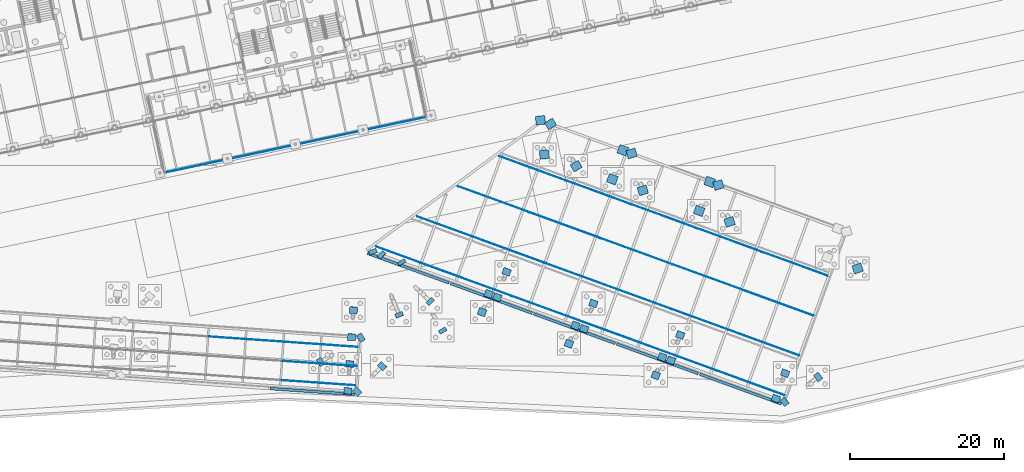
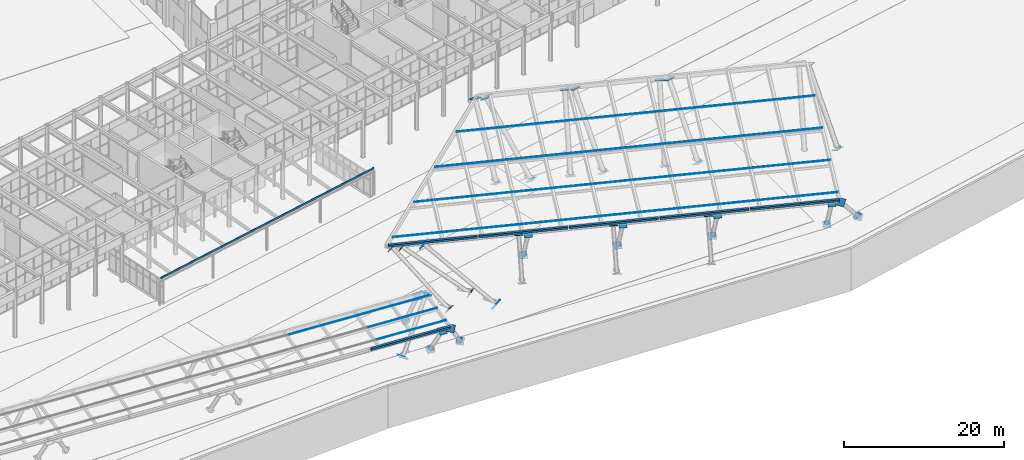
# One storey, part 196 of 239: 76 discrete accessories.
"""IFC4 building model written with IfcOpenShell, lengths in metres."""

from ifc_helpers import new_model, si_unit, direction, frame, origin, origin_2d, place, context, subcontext, project, spatial, polyline, rectangle, outline, extrude, material, layer, layer_set, material_profile, profile_set, type_object, element, save


model = new_model("IFC4")

# Units and contexts
model_context = context("Model", 3, precision=1e-05, world=origin(), true_north=direction((0.0, 1.0)))
body_context = subcontext(model_context, "Body", "Model", "MODEL_VIEW")
ifc_project = project(units=[si_unit("LENGTHUNIT", "METRE"), si_unit("AREAUNIT", "SQUARE_METRE"), si_unit("VOLUMEUNIT", "CUBIC_METRE"), si_unit("PLANEANGLEUNIT", "RADIAN"), si_unit("MASSUNIT", "GRAM", prefix="KILO")], contexts=[model_context])

# Site, building, storey
site_placement = place(None, origin())
site = spatial("IfcSite", under=ifc_project, at=site_placement, CompositionType="ELEMENT")
building_placement = place(site_placement, origin())
building = spatial("IfcBuilding", under=site, at=building_placement, Name="Okhra Congress Centre", CompositionType="ELEMENT")
storey_placement = place(building_placement, origin())
storey = spatial("IfcBuildingStorey", under=building, at=storey_placement, Name="L00", CompositionType="ELEMENT", Elevation=0.0)

# Discrete accessories
ifc_material_1 = material(Name="Steel S355J2", Category="steel")
ifc_layer = layer(ifc_material_1, 0.02001953125)
ifc_layer_set = layer_set([ifc_layer], Name="Brace end connection plate 20 mm S355")
discrete_accessory_type_1 = type_object("IfcDiscreteAccessoryType", Name="Brace end connection plate 20 mm S355", PredefinedType="BRACKET", material=ifc_layer_set)
discrete_accessory_1_placement = place(storey_placement, frame((155.19677734375, 14.652587890625, -0.39990234375), z_axis=(0.317451088829, -0.781418064809, -0.537224919556), x_axis=(0.926466577122, 0.376377046956, 0.0)))
element("IfcDiscreteAccessory", 1, at=discrete_accessory_1_placement, inside=storey, type_object=discrete_accessory_type_1, Name="Brace end connection plate", PredefinedType="BRACKET", context=body_context, shape_type="SweptSolid", body=[
    extrude(rectangle(XDim=1.01611328125, YDim=1.01611328125, at=origin_2d()), origin(), (0.0, 0.0, 1.0), 0.02001953125),
])
discrete_accessory_2_placement = place(storey_placement, frame((151.78173828125, 22.812744140625, 5.23828125), z_axis=(-0.331494273588, 0.773486638372, 0.540212890292), x_axis=(-0.919145030018, -0.393919298579, 0.0)))
element("IfcDiscreteAccessory", 2, at=discrete_accessory_2_placement, inside=storey, type_object=discrete_accessory_type_1, Name="Brace end connection plate", PredefinedType="BRACKET", context=body_context, shape_type="SweptSolid", body=[
    extrude(rectangle(XDim=1.01611328125, YDim=1.01611328125, at=origin_2d()), origin(), (0.0, 0.0, 1.0), 0.019775390625),
])
discrete_accessory_3_placement = place(storey_placement, frame((159.229736328125, 16.377197265625, -0.39990234375), z_axis=(0.605050254536, -0.580848244354, -0.544545229082), x_axis=(0.69253182819, 0.721387321031, 0.0)))
element("IfcDiscreteAccessory", 3, at=discrete_accessory_3_placement, inside=storey, type_object=discrete_accessory_type_1, Name="Brace end connection plate", PredefinedType="BRACKET", context=body_context, shape_type="SweptSolid", body=[
    extrude(rectangle(XDim=1.01611328125, YDim=1.01611328125, at=origin_2d()), origin(), (0.0, 0.0, 1.0), 0.020263671875),
])
for number, where, z_axis, x_axis, name in (
    (4, (152.9091796875, 22.402099609375, 5.23828125), (-0.597294544308, 0.58510485973, 0.548535805997), (-0.699779834816, -0.714358581375, 0.0), "Brace end connection plate"),
    (5, (160.834716796875, 12.600341796875, -0.39990234375), (0.452364655741, -0.745790378384, -0.489042871072), (0.85500950718, 0.518612324027, 0.0), "Brace end connection plate"),
):
    element("IfcDiscreteAccessory", number, at=place(storey_placement, frame(where, z_axis=z_axis, x_axis=x_axis)), inside=storey, type_object=discrete_accessory_type_1, Name=name, PredefinedType="BRACKET", context=body_context, shape_type="SweptSolid", body=[
        extrude(rectangle(XDim=1.01611328125, YDim=1.01611328125, at=origin_2d()), origin(), (0.0, 0.0, 1.0), 0.02001953125),
    ])
discrete_accessory_4_placement = place(storey_placement, frame((155.54052734375, 21.444580078125, 5.23828125), z_axis=(-0.448262624581, 0.751142776324, 0.48460824279), x_axis=(-0.858712583452, -0.512457509479, 0.0)))
element("IfcDiscreteAccessory", 6, at=discrete_accessory_4_placement, inside=storey, type_object=discrete_accessory_type_1, Name="Brace end connection plate", PredefinedType="BRACKET", context=body_context, shape_type="SweptSolid", body=[
    extrude(rectangle(XDim=1.01611328125, YDim=1.01611328125, at=origin_2d()), origin(), (0.0, 0.0, 1.0), 0.020263671875),
])
for number, where, z_axis, x_axis, name in (
    (7, (165.961669921875, 14.990966796875, -0.39990234375), (-0.134316241908, -0.378527590832, -0.915792558464), (0.942427745481, -0.334409845171, 0.0), "Brace end connection plate"),
    (8, (166.816650390625, 17.34033203125, 5.23828125), (0.146276214932, 0.377880221909, 0.914226343328), (-0.932568098274, 0.360994102558, 0.0), "Brace end connection plate"),
    (9, (169.141357421875, 20.21875, -0.39990234375), (0.181821521087, 0.496978824305, -0.84850043174), (-0.93912285212, 0.343581531264, 0.0), "Brace end connection plate"),
    (10, (167.9443359375, 16.929931640625, 5.23828125), (-0.181821521087, -0.496978824305, 0.84850043174), (0.93912285212, -0.343581531264, 0.0), "Brace end connection plate"),
    (11, (177.238037109375, 10.886962890625, -0.39990234375), (-0.145596333607, -0.388256889618, -0.909977085043), (0.936329177569, -0.351123441588, 0.0), "Brace end connection plate"),
    (12, (178.093017578125, 13.236083984375, 5.23828125), (0.134316241908, 0.378527590832, 0.915792558464), (-0.942427745481, 0.334409845171, 0.0), "Brace end connection plate"),
    (13, (180.417724609375, 16.114501953125, -0.39990234375), (0.181821521087, 0.496978824305, -0.84850043174), (-0.93912285212, 0.343581531264, 0.0), "Brace end connection plate"),
    (14, (179.220703125, 12.82568359375, 5.23828125), (-0.181821521087, -0.496978824305, 0.84850043174), (0.93912285212, -0.343581531264, 0.0), "Brace end connection plate"),
    (15, (188.514404296875, 6.78271484375, -0.39990234375), (-0.145596333607, -0.388256889618, -0.909977085043), (0.936329177569, -0.351123441588, 0.0), "Brace end connection plate"),
    (16, (189.369384765625, 9.1318359375, 5.23828125), (0.134316241908, 0.378527590832, 0.915792558464), (-0.942427745481, 0.334409845171, 0.0), "Brace end connection plate"),
    (17, (191.694091796875, 12.01025390625, -0.39990234375), (0.181821521087, 0.496978824305, -0.84850043174), (-0.93912285212, 0.343581531264, 0.0), "Brace end connection plate"),
    (18, (190.4970703125, 8.721435546875, 5.23828125), (-0.181821521087, -0.496978824305, 0.84850043174), (0.93912285212, -0.343581531264, 0.0), "Brace end connection plate"),
    (19, (205.319580078125, 7.051025390625, -0.39990234375), (0.181821521087, 0.496978824305, -0.84850043174), (-0.93912285212, 0.343581531264, 0.0), "Brace end connection plate"),
    (20, (204.12255859375, 3.76220703125, 5.23828125), (-0.181821521087, -0.496978824305, 0.84850043174), (0.93912285212, -0.343581531264, 0.0), "Brace end connection plate"),
    (21, (209.6083984375, 6.55419921875, -0.39990234375), (0.546469139904, 0.412887794594, -0.728625519872), (-0.602833089186, 0.797867323922, 0.0), "Brace end connection plate"),
    (22, (205.250244140625, 3.351806640625, 5.23828125), (-0.559769790426, -0.413742888576, 0.717965600764), (0.594391061084, -0.804176141466, 0.0), "Brace end connection plate"),
):
    element("IfcDiscreteAccessory", number, at=place(storey_placement, frame(where, z_axis=z_axis, x_axis=x_axis)), inside=storey, type_object=discrete_accessory_type_1, Name=name, PredefinedType="BRACKET", context=body_context, shape_type="SweptSolid", body=[
        extrude(rectangle(XDim=1.01611328125, YDim=1.01611328125, at=origin_2d()), origin(), (0.0, 0.0, 1.0), 0.02001953125),
    ])
discrete_accessory_5_placement = place(storey_placement, frame((174.050048828125, 35.459228515625, -0.39990234375), z_axis=(0.036183993008, -0.39802392309, -0.916661156207), x_axis=(0.995893206468, 0.090535746043, 0.0)))
element("IfcDiscreteAccessory", 23, at=discrete_accessory_5_placement, inside=storey, type_object=discrete_accessory_type_1, Name="Brace end connection plate", PredefinedType="BRACKET", context=body_context, shape_type="SweptSolid", body=[
    extrude(rectangle(XDim=1.219970703125, YDim=1.219970703125, at=origin_2d()), origin(), (0.0, 0.0, 1.0), 0.020263671875),
])
for number, where, z_axis, x_axis, name in (
    (24, (173.53857421875, 39.90185546875, 10.01953125), (-0.036766251977, 0.392173354426, 0.919156299436), (-0.995634226059, -0.093340708693, 0.0), "Brace end connection plate"),
    (25, (178.1845703125, 33.954345703125, -0.39990234375), (0.267715986725, -0.450249614038, -0.851823594126), (0.859535888021, 0.511075392877, 0.0), "Brace end connection plate"),
    (26, (174.854248046875, 39.423095703125, 10.01953125), (-0.278956994896, 0.448756904833, 0.848999549684), (-0.849285325289, -0.527934121126, 0.0), "Brace end connection plate"),
):
    element("IfcDiscreteAccessory", number, at=place(storey_placement, frame(where, z_axis=z_axis, x_axis=x_axis)), inside=storey, type_object=discrete_accessory_type_1, Name=name, PredefinedType="BRACKET", context=body_context, shape_type="SweptSolid", body=[
        extrude(rectangle(XDim=1.219970703125, YDim=1.219970703125, at=origin_2d()), origin(), (0.0, 0.0, 1.0), 0.02001953125),
    ])
discrete_accessory_6_placement = place(storey_placement, frame((182.883056640625, 32.244140625, -0.39990234375), z_axis=(-0.121152060697, -0.339225769953, -0.932870867371), x_axis=(0.941741911595, -0.336336396998, 0.0)))
element("IfcDiscreteAccessory", 27, at=discrete_accessory_6_placement, inside=storey, type_object=discrete_accessory_type_1, Name="Brace end connection plate", PredefinedType="BRACKET", context=body_context, shape_type="SweptSolid", body=[
    extrude(rectangle(XDim=1.219970703125, YDim=1.219970703125, at=origin_2d()), origin(), (0.0, 0.0, 1.0), 0.020263671875),
])
discrete_accessory_7_placement = place(storey_placement, frame((184.251220703125, 36.0029296875, 10.01953125), z_axis=(0.12304489189, 0.332221208102, 0.935141178361), x_axis=(-0.937748760724, 0.347314355824, 0.0)))
element("IfcDiscreteAccessory", 28, at=discrete_accessory_7_placement, inside=storey, type_object=discrete_accessory_type_1, Name="Brace end connection plate", PredefinedType="BRACKET", context=body_context, shape_type="SweptSolid", body=[
    extrude(rectangle(XDim=1.219970703125, YDim=1.219970703125, at=origin_2d()), origin(), (0.0, 0.0, 1.0), 0.019775390625),
])
for number, where, z_axis, x_axis, name in (
    (29, (186.829833984375, 30.8076171875, -0.39990234375), (0.121878737355, -0.414387707005, -0.901902656423), (0.959365501571, 0.282166323992, 0.0), "Brace end connection plate"),
    (30, (185.378662109375, 35.592529296875, 10.01953125), (-0.121878737355, 0.414387707005, 0.901902656423), (-0.959365501571, -0.282166323992, 0.0), "Brace end connection plate"),
):
    element("IfcDiscreteAccessory", number, at=place(storey_placement, frame(where, z_axis=z_axis, x_axis=x_axis)), inside=storey, type_object=discrete_accessory_type_1, Name=name, PredefinedType="BRACKET", context=body_context, shape_type="SweptSolid", body=[
        extrude(rectangle(XDim=1.219970703125, YDim=1.219970703125, at=origin_2d()), origin(), (0.0, 0.0, 1.0), 0.02001953125),
    ])
discrete_accessory_8_placement = place(storey_placement, frame((194.159423828125, 28.139892578125, -0.39990234375), z_axis=(-0.121152060697, -0.339225769953, -0.932870867371), x_axis=(0.941741911595, -0.336336396998, 0.0)))
element("IfcDiscreteAccessory", 31, at=discrete_accessory_8_placement, inside=storey, type_object=discrete_accessory_type_1, Name="Brace end connection plate", PredefinedType="BRACKET", context=body_context, shape_type="SweptSolid", body=[
    extrude(rectangle(XDim=1.219970703125, YDim=1.219970703125, at=origin_2d()), origin(), (0.0, 0.0, 1.0), 0.020263671875),
])
discrete_accessory_9_placement = place(storey_placement, frame((195.52734375, 31.898681640625, 10.01953125), z_axis=(0.12304489189, 0.332221208102, 0.935141178361), x_axis=(-0.937748760724, 0.347314355824, 0.0)))
element("IfcDiscreteAccessory", 32, at=discrete_accessory_9_placement, inside=storey, type_object=discrete_accessory_type_1, Name="Brace end connection plate", PredefinedType="BRACKET", context=body_context, shape_type="SweptSolid", body=[
    extrude(rectangle(XDim=1.219970703125, YDim=1.219970703125, at=origin_2d()), origin(), (0.0, 0.0, 1.0), 0.019775390625),
])
for number, where, z_axis, x_axis, name in (
    (33, (198.10595703125, 26.703369140625, -0.39990234375), (0.133857993363, -0.413742888576, -0.900499228076), (0.951444518554, 0.307820285415, 0.0), "Brace end connection plate"),
    (34, (196.655029296875, 31.48828125, 10.01953125), (-0.121878737355, 0.414387707005, 0.901902656423), (-0.959365501571, -0.282166323992, 0.0), "Brace end connection plate"),
    (35, (214.738525390625, 20.649658203125, -0.39990234375), (0.133857993363, -0.413742888576, -0.900499228076), (0.951444518554, 0.307820285415, 0.0), "Brace end connection plate"),
):
    element("IfcDiscreteAccessory", number, at=place(storey_placement, frame(where, z_axis=z_axis, x_axis=x_axis)), inside=storey, type_object=discrete_accessory_type_1, Name=name, PredefinedType="BRACKET", context=body_context, shape_type="SweptSolid", body=[
        extrude(rectangle(XDim=1.219970703125, YDim=1.219970703125, at=origin_2d()), origin(), (0.0, 0.0, 1.0), 0.02001953125),
    ])
discrete_accessory_10_placement = place(storey_placement, frame((148.769775390625, 8.2509765625, -0.39990234375), z_axis=(0.048333295573, 0.567916222982, -0.82166602474), x_axis=(-0.996398007206, 0.084799830401, 0.0)))
element("IfcDiscreteAccessory", 36, at=discrete_accessory_10_placement, inside=storey, type_object=discrete_accessory_type_1, Name="Brace end connection plate", PredefinedType="BRACKET", context=body_context, shape_type="SweptSolid", body=[
    extrude(rectangle(XDim=1.01611328125, YDim=1.01611328125, at=origin_2d()), origin(), (0.0, 0.0, 1.0), 0.020263671875),
])
discrete_accessory_11_placement = place(storey_placement, frame((148.525634765625, 4.759521484375, 4.63330078125), z_axis=(-0.036631702339, -0.573896669971, 0.818108018895), x_axis=(0.997969082864, -0.063700154225, 0.0)))
element("IfcDiscreteAccessory", 37, at=discrete_accessory_11_placement, inside=storey, type_object=discrete_accessory_type_1, Name="Brace end connection plate", PredefinedType="BRACKET", context=body_context, shape_type="SweptSolid", body=[
    extrude(rectangle(XDim=1.01611328125, YDim=1.01611328125, at=origin_2d()), origin(), (0.0, 0.0, 1.0), 0.02001953125),
])
discrete_accessory_12_placement = place(storey_placement, frame((152.959716796875, 7.9580078125, -0.39990234375), z_axis=(0.47149063623, 0.483580139723, -0.737459713078), x_axis=(-0.71600013962, 0.69810013613, 0.0)))
element("IfcDiscreteAccessory", 38, at=discrete_accessory_12_placement, inside=storey, type_object=discrete_accessory_type_1, Name="Brace end connection plate", PredefinedType="BRACKET", context=body_context, shape_type="SweptSolid", body=[
    extrude(rectangle(XDim=1.01611328125, YDim=1.01611328125, at=origin_2d()), origin(), (0.0, 0.0, 1.0), 0.020263671875),
])
discrete_accessory_13_placement = place(storey_placement, frame((149.722900390625, 4.67578125, 4.63330078125), z_axis=(-0.47423643072, -0.47423643072, 0.741754417281), x_axis=(0.707106781187, -0.707106781187, 0.0)))
element("IfcDiscreteAccessory", 39, at=discrete_accessory_13_placement, inside=storey, type_object=discrete_accessory_type_1, Name="Brace end connection plate", PredefinedType="BRACKET", context=body_context, shape_type="SweptSolid", body=[
    extrude(rectangle(XDim=1.01611328125, YDim=1.01611328125, at=origin_2d()), origin(), (0.0, 0.0, 1.0), 0.02001953125),
])
discrete_accessory_14_placement = place(storey_placement, frame((149.258056640625, 15.23388671875, -0.39990234375), z_axis=(0.03634295113, 0.508801315824, -0.860116510084), x_axis=(-0.997458699831, 0.071247049988, 0.0)))
element("IfcDiscreteAccessory", 40, at=discrete_accessory_14_placement, inside=storey, type_object=discrete_accessory_type_1, Name="Brace end connection plate", PredefinedType="BRACKET", context=body_context, shape_type="SweptSolid", body=[
    extrude(rectangle(XDim=1.01611328125, YDim=1.01611328125, at=origin_2d()), origin(), (0.0, 0.0, 1.0), 0.020263671875),
])
discrete_accessory_15_placement = place(storey_placement, frame((149.013916015625, 11.742431640625, 5.492919921875), z_axis=(-0.02464632131, -0.505249586864, 0.862621245866), x_axis=(0.998812351125, -0.048722553713, 0.0)))
element("IfcDiscreteAccessory", 41, at=discrete_accessory_15_placement, inside=storey, type_object=discrete_accessory_type_1, Name="Brace end connection plate", PredefinedType="BRACKET", context=body_context, shape_type="SweptSolid", body=[
    extrude(rectangle(XDim=1.01611328125, YDim=1.01611328125, at=origin_2d()), origin(), (0.0, 0.0, 1.0), 0.019775390625),
])
for number, where, z_axis, x_axis, name in (
    (42, (144.979248046875, 8.51611328125, -0.39990234375), (-0.620752231839, -0.36514837167, -0.693781906173), (0.507020126563, -0.861934215158, 0.0), "Brace end connection plate"),
    (43, (150.211181640625, 11.65869140625, 5.492919921875), (0.610391875299, 0.378442962685, 0.695846737841), (-0.526939668862, 0.849902691712, 0.0), "Brace end connection plate"),
):
    element("IfcDiscreteAccessory", number, at=place(storey_placement, frame(where, z_axis=z_axis, x_axis=x_axis)), inside=storey, type_object=discrete_accessory_type_1, Name=name, PredefinedType="BRACKET", context=body_context, shape_type="SweptSolid", body=[
        extrude(rectangle(XDim=1.01611328125, YDim=1.01611328125, at=origin_2d()), origin(), (0.0, 0.0, 1.0), 0.02001953125),
    ])
ifc_material_2 = material(Name="Stainless steel box gutter with self-regulating heating cable", Category="steel")
discrete_accessory_type_2 = type_object("IfcDiscreteAccessoryType", Name="Canopy heated gutter 350x300", PredefinedType="USERDEFINED", material=ifc_material_2)
for number, where, z_axis, x_axis, name in (
    (44, (156.379150390625, 20.708251953125, 5.75), (0.0, 0.0, 1.0), (0.939692620786, -0.342020143326, 0.0), "Entrance canopy heated gutter"),
    (45, (167.166748046875, 16.781982421875, 5.75), (0.0, 0.0, 1.0), (0.939692620786, -0.342020143326, 0.0), "Entrance canopy heated gutter"),
    (46, (177.95458984375, 12.85546875, 5.75), (0.0, 0.0, 1.0), (0.939692620786, -0.342020143326, 0.0), "Entrance canopy heated gutter"),
    (47, (188.7421875, 8.92919921875, 5.75), (0.0, 0.0, 1.0), (0.939692620786, -0.342020143326, 0.0), "Entrance canopy heated gutter"),
    (48, (199.52978515625, 5.002685546875, 5.75), (0.0, 0.0, 1.0), (0.939692620786, -0.342020143326, 0.0), "Entrance canopy heated gutter"),
):
    element("IfcDiscreteAccessory", number, at=place(storey_placement, frame(where, z_axis=z_axis, x_axis=x_axis)), inside=storey, type_object=discrete_accessory_type_2, Name=name, ObjectType="HEATED GUTTER", PredefinedType="USERDEFINED", context=body_context, shape_type="SweptSolid", body=[
        extrude(rectangle(XDim=11.280029296875, YDim=0.35009765625, at=origin_2d()), origin(), (0.0, 0.0, 1.0), 0.300048828125),
    ])
discrete_accessory_16_placement = place(storey_placement, frame((143.90869140625, 4.676513671875, 5.0498046875), z_axis=(0.0, 0.0, 1.0), x_axis=(0.99756405026, -0.069756473744, 0.0)))
element("IfcDiscreteAccessory", 49, at=discrete_accessory_16_placement, inside=storey, type_object=discrete_accessory_type_2, Name="Covered promenade heated gutter", ObjectType="HEATED GUTTER", PredefinedType="USERDEFINED", context=body_context, shape_type="SweptSolid", body=[
    extrude(rectangle(XDim=11.0, YDim=0.35009765625, at=origin_2d()), origin(), (0.0, 0.0, 1.0), 0.300048828125),
])
ifc_material_3 = material(Name="Stainless steel snow retention rail", Category="steel")
discrete_accessory_type_3 = type_object("IfcDiscreteAccessoryType", Name="Canopy snow guard rail 40x100", PredefinedType="USERDEFINED", material=ifc_material_3)
for number, where, z_axis, x_axis, name in (
    (50, (152.19482421875, 23.46044921875, 6.305419921875), (-0.069485797238, -0.190907436436, 0.979145584015), (0.939690765312, -0.342025241154, 0.0), "Entrance canopy snow guard rail"),
    (51, (161.064453125, 20.232177734375, 6.305419921875), (-0.069485797238, -0.190907436436, 0.979145584015), (0.939690765312, -0.342025241154, 0.0), "Entrance canopy snow guard rail"),
    (52, (169.93408203125, 17.00390625, 6.305419921875), (-0.069485797238, -0.190907436436, 0.979145584015), (0.939690765312, -0.342025241154, 0.0), "Entrance canopy snow guard rail"),
    (53, (178.8037109375, 13.775634765625, 6.305419921875), (-0.069485797238, -0.190907436436, 0.979145584015), (0.939690765312, -0.342025241154, 0.0), "Entrance canopy snow guard rail"),
):
    element("IfcDiscreteAccessory", number, at=place(storey_placement, frame(where, z_axis=z_axis, x_axis=x_axis)), inside=storey, type_object=discrete_accessory_type_3, Name=name, ObjectType="SNOW GUARD", PredefinedType="USERDEFINED", context=body_context, shape_type="SweptSolid", body=[
        extrude(outline(polyline([(0.0, 0.0), (9.238827224308569, 0.0), (9.23881521154484, 0.04085837425256437), (-1.2012763728252995e-05, 0.040858374252564784), (0.0, 0.0)])), origin(), (0.0, 0.0, -1.0), 0.10009765625),
    ])
discrete_accessory_17_placement = place(storey_placement, frame((187.67333984375, 10.54736328125, 6.305419921875), z_axis=(-0.069604258045, -0.191242976103, 0.979071688567), x_axis=(0.93969100521, -0.342024582035, -3.37438e-06)))
element("IfcDiscreteAccessory", 54, at=discrete_accessory_17_placement, inside=storey, type_object=discrete_accessory_type_3, Name="Entrance canopy snow guard rail", ObjectType="SNOW GUARD", PredefinedType="USERDEFINED", context=body_context, shape_type="SweptSolid", body=[
    extrude(outline(polyline([(0.0, 0.0), (9.238827224253697, 0.0), (9.239044628290463, 0.04094012624943307), (7.148938267057824e-05, 0.0406337561677134), (0.0, 0.0)])), origin(), (0.0, 0.0, -1.0), 0.10009765625),
])
discrete_accessory_18_placement = place(storey_placement, frame((196.54296875, 7.31884765625, 6.305419921875), z_axis=(-0.069479330629, -0.190909788016, 0.979145584403), x_axis=(0.939702348981, -0.341993414148, 0.0)))
element("IfcDiscreteAccessory", 55, at=discrete_accessory_18_placement, inside=storey, type_object=discrete_accessory_type_3, Name="Entrance canopy snow guard rail", ObjectType="SNOW GUARD", PredefinedType="USERDEFINED", context=body_context, shape_type="SweptSolid", body=[
    extrude(outline(polyline([(0.0, 0.0), (9.238973144042374, 0.0), (9.238962486269953, 0.040858374628477634), (-1.0657772420567352e-05, 0.04085837462847766), (0.0, 0.0)])), origin(), (0.0, 0.0, -1.0), 0.10009765625),
])
discrete_accessory_19_placement = place(storey_placement, frame((157.521484375, 27.374755859375, 7.424560546875), z_axis=(-0.067707357943, -0.186027877596, 0.980208825933), x_axis=(0.939690284698, -0.342026561597, -2.579934e-06)))
element("IfcDiscreteAccessory", 56, at=discrete_accessory_19_placement, inside=storey, type_object=discrete_accessory_type_3, Name="Entrance canopy snow guard rail", ObjectType="SNOW GUARD", PredefinedType="USERDEFINED", context=body_context, shape_type="SweptSolid", body=[
    extrude(outline(polyline([(0.0, 0.0), (8.627761236393622, 8.881784197001252e-16), (8.627749146627828, 0.040809468482592356), (7.14128127200734e-05, 0.04058459237516384), (0.0, 0.0)])), origin(), (0.0, 0.0, -1.0), 0.10009765625),
])
for number, where, z_axis, x_axis, name in (
    (57, (165.81689453125, 24.35546875, 7.424560546875), (-0.06752326633, -0.185514406246, 0.980318832615), (0.939690106487, -0.342027051226, 0.0), "Entrance canopy snow guard rail"),
    (58, (174.1123046875, 21.336181640625, 7.424560546875), (-0.06752326633, -0.185514406246, 0.980318832615), (0.939690106487, -0.342027051226, 0.0), "Entrance canopy snow guard rail"),
    (59, (182.40771484375, 18.31689453125, 7.424560546875), (-0.06752326633, -0.185514406246, 0.980318832615), (0.939690106487, -0.342027051226, 0.0), "Entrance canopy snow guard rail"),
    (60, (190.703125, 15.297607421875, 7.424560546875), (-0.06752326633, -0.185514406246, 0.980318832615), (0.939690106487, -0.342027051226, 0.0), "Entrance canopy snow guard rail"),
):
    element("IfcDiscreteAccessory", number, at=place(storey_placement, frame(where, z_axis=z_axis, x_axis=x_axis)), inside=storey, type_object=discrete_accessory_type_3, Name=name, ObjectType="SNOW GUARD", PredefinedType="USERDEFINED", context=body_context, shape_type="SweptSolid", body=[
        extrude(outline(polyline([(0.0, 0.0), (8.627761236423508, 4.440892098500626e-16), (8.627749146597942, 0.040809474800655714), (-1.2089825564085693e-05, 0.040809474800655145), (0.0, 0.0)])), origin(), (0.0, 0.0, -1.0), 0.10009765625),
    ])
discrete_accessory_20_placement = place(storey_placement, frame((198.998291015625, 12.2783203125, 7.424560546875), z_axis=(-0.067454714706, -0.185328856896, 0.980358646754), x_axis=(0.939693352245, -0.34201813365, 9.35616e-07)))
element("IfcDiscreteAccessory", 61, at=discrete_accessory_20_placement, inside=storey, type_object=discrete_accessory_type_3, Name="Entrance canopy snow guard rail", ObjectType="SNOW GUARD", PredefinedType="USERDEFINED", context=body_context, shape_type="SweptSolid", body=[
    extrude(outline(polyline([(0.0, 0.0), (8.627990653353557, -8.881784197001252e-16), (8.627978950721449, 0.04080947408280556), (0.00021771469021747279, 0.04089133449815651), (0.0, 0.0)])), origin(), (0.0, 0.0, -1.0), 0.10009765625),
])
for number, where, z_axis, x_axis, name in (
    (62, (162.84814453125, 31.288818359375, 8.54345703125), (-0.067522883793, -0.185514545355, 0.980318832639), (0.939690811683, -0.342025113754, 0.0), "Entrance canopy snow guard rail"),
    (63, (172.113525390625, 27.91650390625, 8.54345703125), (-0.067522883793, -0.185514545355, 0.980318832639), (0.939690811683, -0.342025113754, 0.0), "Entrance canopy snow guard rail"),
    (64, (181.37890625, 24.544189453125, 8.54345703125), (-0.067522883793, -0.185514545355, 0.980318832639), (0.939690811683, -0.342025113754, 0.0), "Entrance canopy snow guard rail"),
    (65, (190.644287109375, 21.171875, 8.54345703125), (-0.067522883793, -0.185514545355, 0.980318832639), (0.939690811683, -0.342025113754, 0.0), "Entrance canopy snow guard rail"),
    (66, (199.90966796875, 17.799560546875, 8.54345703125), (-0.067522883793, -0.185514545355, 0.980318832639), (0.939690811683, -0.342025113754, 0.0), "Entrance canopy snow guard rail"),
):
    element("IfcDiscreteAccessory", number, at=place(storey_placement, frame(where, z_axis=z_axis, x_axis=x_axis)), inside=storey, type_object=discrete_accessory_type_3, Name=name, ObjectType="SNOW GUARD", PredefinedType="USERDEFINED", context=body_context, shape_type="SweptSolid", body=[
        extrude(outline(polyline([(0.0, 0.0), (9.659978011137852, -4.440892098500626e-16), (9.659966003798022, 0.04080947482500809), (-1.2007339830295491e-05, 0.04080947482500822), (0.0, 0.0)])), origin(), (0.0, 0.0, -1.0), 0.10009765625),
    ])
discrete_accessory_21_placement = place(storey_placement, frame((168.1748046875, 35.203125, 9.662353515625), z_axis=(-0.069488248763, -0.190906544938, 0.979145583856), x_axis=(0.939686373602, -0.342037306836, 0.0)))
element("IfcDiscreteAccessory", 67, at=discrete_accessory_21_placement, inside=storey, type_object=discrete_accessory_type_3, Name="Entrance canopy snow guard rail", ObjectType="SNOW GUARD", PredefinedType="USERDEFINED", context=body_context, shape_type="SweptSolid", body=[
    extrude(outline(polyline([(0.0, 0.0), (8.926577876829114, 4.440892098500626e-16), (8.926565350381113, 0.04085837409830766), (-1.252644800073764e-05, 0.04085837409830745), (0.0, 0.0)])), origin(), (0.0, 0.0, -1.0), 0.10009765625),
])
discrete_accessory_22_placement = place(storey_placement, frame((176.7509765625, 32.08154296875, 9.662353515625), z_axis=(-0.069481555918, -0.190908978792, 0.979145584274), x_axis=(0.939698362932, -0.342004366497, 0.0)))
element("IfcDiscreteAccessory", 68, at=discrete_accessory_22_placement, inside=storey, type_object=discrete_accessory_type_3, Name="Entrance canopy snow guard rail", ObjectType="SNOW GUARD", PredefinedType="USERDEFINED", context=body_context, shape_type="SweptSolid", body=[
    extrude(outline(polyline([(0.0, 0.0), (8.926723792730428, 4.440892098500626e-16), (8.926712668678594, 0.04085837450418968), (-1.1124051835979462e-05, 0.04085837450418961), (0.0, 0.0)])), origin(), (0.0, 0.0, -1.0), 0.10009765625),
])
discrete_accessory_23_placement = place(storey_placement, frame((185.3271484375, 28.960205078125, 9.662353515625), z_axis=(-0.069486462745, -0.190907194424, 0.979145583972), x_axis=(0.939689573125, -0.34202851659, 0.0)))
element("IfcDiscreteAccessory", 69, at=discrete_accessory_23_placement, inside=storey, type_object=discrete_accessory_type_3, Name="Entrance canopy snow guard rail", ObjectType="SNOW GUARD", PredefinedType="USERDEFINED", context=body_context, shape_type="SweptSolid", body=[
    extrude(outline(polyline([(0.0, 0.0), (8.926807292838241, 0.0), (8.926795140626377, 0.04085837421132785), (-1.215221186394791e-05, 0.040858374211327694), (0.0, 0.0)])), origin(), (0.0, 0.0, -1.0), 0.10009765625),
])
discrete_accessory_24_placement = place(storey_placement, frame((193.903564453125, 25.838623046875, 9.662353515625), z_axis=(-0.069488248763, -0.190906544938, 0.979145583856), x_axis=(0.939686373602, -0.342037306836, 0.0)))
element("IfcDiscreteAccessory", 70, at=discrete_accessory_24_placement, inside=storey, type_object=discrete_accessory_type_3, Name="Entrance canopy snow guard rail", ObjectType="SNOW GUARD", PredefinedType="USERDEFINED", context=body_context, shape_type="SweptSolid", body=[
    extrude(outline(polyline([(0.0, 0.0), (8.926577876829114, 4.440892098500626e-16), (8.926565350381113, 0.04085837409830766), (-1.252644800073764e-05, 0.04085837409830745), (0.0, 0.0)])), origin(), (0.0, 0.0, -1.0), 0.10009765625),
])
discrete_accessory_25_placement = place(storey_placement, frame((202.479736328125, 22.717041015625, 9.662353515625), z_axis=(-0.069481555918, -0.190908978792, 0.979145584274), x_axis=(0.939698362932, -0.342004366497, 0.0)))
element("IfcDiscreteAccessory", 71, at=discrete_accessory_25_placement, inside=storey, type_object=discrete_accessory_type_3, Name="Entrance canopy snow guard rail", ObjectType="SNOW GUARD", PredefinedType="USERDEFINED", context=body_context, shape_type="SweptSolid", body=[
    extrude(outline(polyline([(0.0, 0.0), (8.926723792730428, 4.440892098500626e-16), (8.926712668678594, 0.04085837450418968), (-1.1124051835979462e-05, 0.04085837450418961), (0.0, 0.0)])), origin(), (0.0, 0.0, -1.0), 0.10009765625),
])
discrete_accessory_26_placement = place(storey_placement, frame((139.91162109375, 6.11376953125, 5.5234375), z_axis=(-0.008888518872, -0.127129509601, 0.991846299595), x_axis=(0.997564728627, -0.069746771964, 0.0)))
element("IfcDiscreteAccessory", 72, at=discrete_accessory_26_placement, inside=storey, type_object=discrete_accessory_type_3, Name="Covered promenade snow guard rail", ObjectType="SNOW GUARD", PredefinedType="USERDEFINED", context=body_context, shape_type="SweptSolid", body=[
    extrude(outline(polyline([(0.0, 0.0), (9.587557288176507, 1.1102230246251565e-16), (9.587704273751045, 0.04023037309635391), (0.0001469855745386199, 0.04023037309635388), (0.0, 0.0)])), origin(), (0.0, 0.0, -1.0), 0.10009765625),
])
discrete_accessory_27_placement = place(storey_placement, frame((140.086181640625, 8.607666015625, 5.83056640625), z_axis=(-0.008473543202, -0.121192704697, 0.992592830618), x_axis=(0.997564605662, -0.069748530663, -1.0709e-07)))
element("IfcDiscreteAccessory", 73, at=discrete_accessory_27_placement, inside=storey, type_object=discrete_accessory_type_3, Name="Covered promenade snow guard rail", ObjectType="SNOW GUARD", PredefinedType="USERDEFINED", context=body_context, shape_type="SweptSolid", body=[
    extrude(outline(polyline([(0.0, 0.0), (9.58731374211525, 0.0), (9.587460656819372, 0.040199989412871305), (-9.663134218130021e-05, 0.040183087092446286), (0.0, 0.0)])), origin(), (0.0, 0.0, -1.0), 0.10009765625),
])
discrete_accessory_28_placement = place(storey_placement, frame((130.496826171875, 11.7841796875, 6.137451171875), z_axis=(-0.008424533399, -0.120493280726, 0.992678395321), x_axis=(0.997564728627, -0.069746771964, 0.0)))
element("IfcDiscreteAccessory", 74, at=discrete_accessory_28_placement, inside=storey, type_object=discrete_accessory_type_3, Name="Covered promenade snow guard rail", ObjectType="SNOW GUARD", PredefinedType="USERDEFINED", context=body_context, shape_type="SweptSolid", body=[
    extrude(outline(polyline([(0.0, 0.0), (9.587557288176507, 0.0), (9.587443699654223, 0.040424839436347754), (-0.00011358852228546051, 0.04042483943634766), (0.0, 0.0)])), origin(), (0.0, 0.0, -1.0), 0.10009765625),
])
discrete_accessory_29_placement = place(storey_placement, frame((140.260498046875, 11.1015625, 6.137451171875), z_axis=(-0.008475217637, -0.121218200409, 0.992589703037), x_axis=(0.997564728627, -0.069746771964, 0.0)))
element("IfcDiscreteAccessory", 75, at=discrete_accessory_29_placement, inside=storey, type_object=discrete_accessory_type_3, Name="Covered promenade snow guard rail", ObjectType="SNOW GUARD", PredefinedType="USERDEFINED", context=body_context, shape_type="SweptSolid", body=[
    extrude(outline(polyline([(0.0, 0.0), (9.587557288176507, 0.0), (9.58746072767472, 0.040183087276052194), (-9.65605017863155e-05, 0.04018308727605219), (0.0, 0.0)])), origin(), (0.0, 0.0, -1.0), 0.10009765625),
])
ifc_material_4 = material(Name="Stainless steel bar on roof clamps", Category="steel")
ifc_material_profile = material_profile(ifc_material_4, rectangle(XDim=0.06005859375, YDim=0.300048828125, at=origin_2d()), Name="Snow guard bar 36000x60x300")
ifc_profile_set = profile_set([ifc_material_profile], Name="Stainless steel bar on roof clamps")
discrete_accessory_type_4 = type_object("IfcDiscreteAccessoryType", Name="Snow guard bar 36000x60x300", PredefinedType="USERDEFINED", material=ifc_profile_set)
discrete_accessory_30_placement = place(storey_placement, frame((141.717041015625, 36.705322265625, 3.91357421875), z_axis=(0.0, 0.0, 1.0), x_axis=(0.978147600734, 0.207911690818, 0.0)))
element("IfcDiscreteAccessory", 76, at=discrete_accessory_30_placement, inside=storey, type_object=discrete_accessory_type_4, Name="Porch roof snow guard", ObjectType="SNOW GUARD", PredefinedType="USERDEFINED", context=body_context, shape_type="SweptSolid", body=[
    extrude(rectangle(XDim=35.800048828125, YDim=0.06005859375, at=origin_2d()), origin(), (0.0, 0.0, 1.0), 0.300048828125),
])

save(model, "model.ifc")
